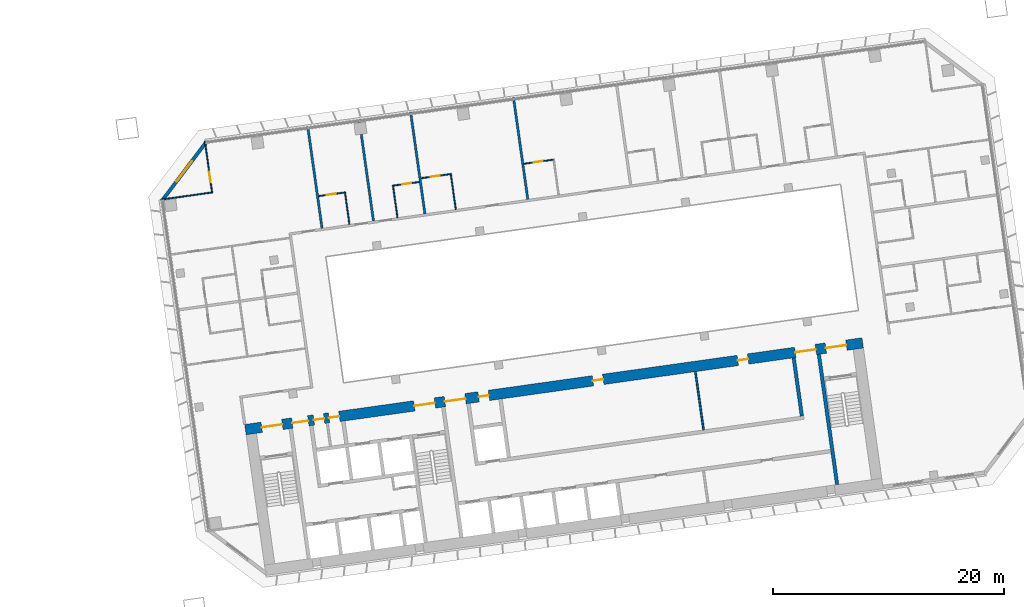
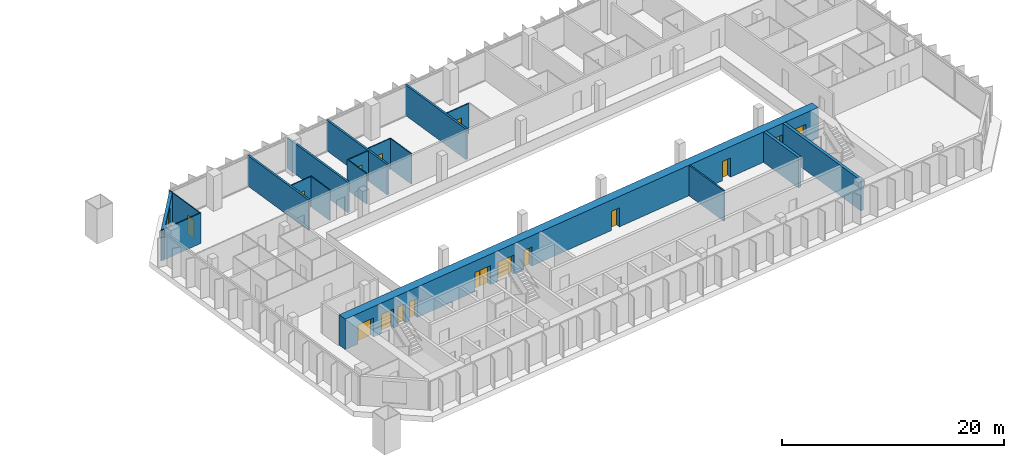
# One storey, part 20 of 25: 18 walls, 16 doors, 1 window, 17 openings.
"""IFC4 building model written with IfcOpenShell, lengths in metres."""

from ifc_helpers import new_model, si_unit, direction, frame, frame_2d, origin, place, context, subcontext, project, spatial, rectangle, extrude, material, layer, layer_set, type_object, element, fill, save


model = new_model("IFC4")

# Units and contexts
model_context = context("Model", 3, precision=1e-05, world=origin(), true_north=direction((0.0, 1.0)))
body_context = subcontext(model_context, "Body", "Model", "MODEL_VIEW")
ifc_project = project(units=[si_unit("LENGTHUNIT", "METRE"), si_unit("AREAUNIT", "SQUARE_METRE"), si_unit("VOLUMEUNIT", "CUBIC_METRE"), si_unit("PLANEANGLEUNIT", "RADIAN"), si_unit("MASSUNIT", "GRAM", prefix="KILO")], contexts=[model_context])

# Site, building, storey
site_placement = place(None, origin())
site = spatial("IfcSite", under=ifc_project, at=site_placement, CompositionType="ELEMENT")
building_placement = place(site_placement, origin())
building = spatial("IfcBuilding", under=site, at=building_placement, Name="Mirante Cascada Hotel Towers", CompositionType="ELEMENT")
storey_placement = place(building_placement, frame((0.0, 0.0, 69.9)))
storey = spatial("IfcBuildingStorey", under=building, at=storey_placement, Name="L14", CompositionType="ELEMENT", Elevation=69.9)

# Walls
ifc_material_1 = material(Name="Fire-rated plasterboard on metal studs")
ifc_layer_1 = layer(ifc_material_1, 0.2)
ifc_layer_set_1 = layer_set([ifc_layer_1], Name="Compartment wall 200 EI 120")
wall_type_1 = type_object("IfcWallType", Name="Compartment wall 200 EI 120", PredefinedType="PARTITIONING", material=ifc_layer_set_1)
for number, where, z_axis, x_axis, name in (
    (1, (41.963, 9.8805, 0.0), (0.0, 0.0, 1.0), (-0.1391794, 0.9902672, 0.0), "Wall 2-L14-35"),
    (2, (46.4192, 10.5068, 0.0), (0.0, 0.0, 1.0), (-0.1391794, 0.9902672, 0.0), "Wall 2-L14-37"),
    (3, (50.8754, 11.1331, 0.0), (0.0, 0.0, 1.0), (-0.1391794, 0.9902672, 0.0), "Wall 2-L14-39"),
):
    element("IfcWall", number, at=place(storey_placement, frame(where, z_axis=z_axis, x_axis=x_axis)), inside=storey, type_object=wall_type_1, Name=name, PredefinedType="PARTITIONING", context=body_context, shape_type="SweptSolid", body=[
        extrude(rectangle(XDim=8.9, YDim=0.2, at=frame_2d((4.45, 0.0))), origin(), (0.0, 0.0, 1.0), 3.35),
    ])
wall_1_placement = place(storey_placement, frame((59.7878, 12.3857, 0.0), z_axis=(0.0, 0.0, 1.0), x_axis=(-0.13917, 0.9902685, 0.0)))
element("IfcWall", 4, at=wall_1_placement, inside=storey, type_object=wall_type_1, Name="Wall 2-L14-41", PredefinedType="PARTITIONING", context=body_context, shape_type="SweptSolid", body=[
    extrude(rectangle(XDim=8.8999, YDim=0.2, at=frame_2d((4.45, 0.0))), origin(), (0.0, 0.0, 1.0), 3.35),
])
ifc_material_2 = material(Name="Masonry block", Category="masonry")
ifc_layer_2 = layer(ifc_material_2, 0.15)
ifc_layer_set_2 = layer_set([ifc_layer_2], Name="Core room partition 150 block EI 30")
wall_type_2 = type_object("IfcWallType", Name="Core room partition 150 block EI 30", PredefinedType="PARTITIONING", material=ifc_layer_set_2)
wall_2_placement = place(storey_placement, frame((75.016, -7.5894, 0.0), z_axis=(0.0, 0.0, 1.0), x_axis=(-0.1391755, 0.9902677, 0.0)))
element("IfcWall", 5, at=wall_2_placement, inside=storey, type_object=wall_type_2, Name="Core wall partition T2 L14 6", PredefinedType="PARTITIONING", context=body_context, shape_type="SweptSolid", body=[
    extrude(rectangle(XDim=5.1, YDim=0.15, at=frame_2d((2.55, 0.0))), origin(), (0.0, 0.0, 1.0), 3.35),
])

# Wall, opening, door
ifc_material_3 = material(Name="Plasterboard on metal studs")
ifc_layer_3 = layer(ifc_material_3, 0.1)
ifc_layer_set_3 = layer_set([ifc_layer_3], Name="Partition 100")
wall_type_3 = type_object("IfcWallType", Name="Partition 100", PredefinedType="PARTITIONING", material=ifc_layer_set_3)
wall_3_placement = place(storey_placement, frame((43.9004, 12.9804, 0.0), z_axis=(0.0, 0.0, 1.0), x_axis=(-0.9902643, -0.1391997, 0.0)))
wall_3 = element("IfcWall", 6, at=wall_3_placement, inside=storey, type_object=wall_type_3, Name="Wall 2-L14-20", PredefinedType="PARTITIONING", context=body_context, shape_type="SweptSolid", body=[
    extrude(rectangle(XDim=2.25, YDim=0.1, at=frame_2d((1.125, 0.0))), origin(), (0.0, 0.0, 1.0), 3.35),
])
opening_1_placement = place(wall_3_placement, frame((0.75, 0.0, 0.0)))
opening_1 = element("IfcOpeningElement", 7, at=opening_1_placement, cuts=wall_3, Name="Opening D2-L14-21", PredefinedType="OPENING", context=body_context, shape_type="SweptSolid", body=[
    extrude(rectangle(XDim=0.8, YDim=2.1, at=frame_2d((0.4, 1.05))), frame((0.0, 0.05, 0.0), z_axis=(0.0, -1.0, 0.0), x_axis=(1.0, 0.0, 0.0)), (0.0, 0.0, 1.0), 0.1),
])
ifc_material_4 = material(Name="Timber door leaf", Category="wood")
door_type_1 = type_object("IfcDoorType", Name="Bathroom door DG4 800x2100", OperationType="SINGLE_SWING_LEFT", PredefinedType="DOOR", material=ifc_material_4)
door_1_placement = place(opening_1_placement, frame((0.8, 0.0, 0.0), z_axis=(0.0, 0.0, 1.0), x_axis=(-1.0, 0.0, 0.0)))
door_1 = element("IfcDoor", 8, at=door_1_placement, inside=storey, type_object=door_type_1, Name="Door D2-L14-21", OperationType="SINGLE_SWING_RIGHT", OverallHeight=2.1, OverallWidth=0.8, PredefinedType="DOOR", context=body_context, shape_type="SweptSolid", body=[
    extrude(rectangle(XDim=0.8, YDim=2.1, at=frame_2d((0.4, 1.05))), frame((0.0, 0.025, 0.0), z_axis=(0.0, -1.0, 0.0), x_axis=(1.0, 0.0, 0.0)), (0.0, 0.0, 1.0), 0.05),
])
fill(opening_1, door_1)

wall_4_placement = place(storey_placement, frame((48.1586, 13.5788, 0.0), z_axis=(0.0, 0.0, 1.0), x_axis=(0.9902705, 0.1391561, 0.0)))
wall_4 = element("IfcWall", 9, at=wall_4_placement, inside=storey, type_object=wall_type_3, Name="Wall 2-L14-21", PredefinedType="PARTITIONING", context=body_context, shape_type="SweptSolid", body=[
    extrude(rectangle(XDim=2.25, YDim=0.1, at=frame_2d((1.125, 0.0))), origin(), (0.0, 0.0, 1.0), 3.35),
])
opening_2_placement = place(wall_4_placement, frame((0.75, 0.0, 0.0)))
opening_2 = element("IfcOpeningElement", 10, at=opening_2_placement, cuts=wall_4, Name="Opening D2-L14-22", PredefinedType="OPENING", context=body_context, shape_type="SweptSolid", body=[
    extrude(rectangle(XDim=0.8, YDim=2.1, at=frame_2d((0.4, 1.05))), frame((0.0, 0.05, 0.0), z_axis=(0.0, -1.0, 0.0), x_axis=(1.0, 0.0, 0.0)), (0.0, 0.0, 1.0), 0.1),
])
door_2_placement = place(opening_2_placement, origin())
door_2 = element("IfcDoor", 11, at=door_2_placement, inside=storey, type_object=door_type_1, Name="Door D2-L14-22", OperationType="SINGLE_SWING_LEFT", OverallHeight=2.1, OverallWidth=0.8, PredefinedType="DOOR", context=body_context, shape_type="SweptSolid", body=[
    extrude(rectangle(XDim=0.8, YDim=2.1, at=frame_2d((0.4, 1.05))), frame((0.0, 0.025, 0.0), z_axis=(0.0, -1.0, 0.0), x_axis=(1.0, 0.0, 0.0)), (0.0, 0.0, 1.0), 0.05),
])
fill(opening_2, door_2)

wall_5_placement = place(storey_placement, frame((50.543, 14.2169, 0.0), z_axis=(0.0, 0.0, 1.0), x_axis=(0.9902731, 0.1391371, 0.0)))
wall_5 = element("IfcWall", 12, at=wall_5_placement, inside=storey, type_object=wall_type_3, Name="Wall 2-L14-25", PredefinedType="PARTITIONING", context=body_context, shape_type="SweptSolid", body=[
    extrude(rectangle(XDim=2.55, YDim=0.1, at=frame_2d((1.275, 0.0))), origin(), (0.0, 0.0, 1.0), 3.35),
])
opening_3_placement = place(wall_5_placement, frame((0.85, 0.0, 0.0)))
opening_3 = element("IfcOpeningElement", 13, at=opening_3_placement, cuts=wall_5, Name="Opening D2-L14-27", PredefinedType="OPENING", context=body_context, shape_type="SweptSolid", body=[
    extrude(rectangle(XDim=0.8, YDim=2.1, at=frame_2d((0.4, 1.05))), frame((0.0, 0.05, 0.0), z_axis=(0.0, -1.0, 0.0), x_axis=(1.0, 0.0, 0.0)), (0.0, 0.0, 1.0), 0.1),
])
door_3_placement = place(opening_3_placement, origin())
door_3 = element("IfcDoor", 14, at=door_3_placement, inside=storey, type_object=door_type_1, Name="Door D2-L14-27", OperationType="SINGLE_SWING_LEFT", OverallHeight=2.1, OverallWidth=0.8, PredefinedType="DOOR", context=body_context, shape_type="SweptSolid", body=[
    extrude(rectangle(XDim=0.8, YDim=2.1, at=frame_2d((0.4, 1.05))), frame((0.0, 0.025, 0.0), z_axis=(0.0, -1.0, 0.0), x_axis=(1.0, 0.0, 0.0)), (0.0, 0.0, 1.0), 0.05),
])
fill(opening_3, door_3)

wall_6_placement = place(storey_placement, frame((61.9806, 15.8243, 0.0), z_axis=(0.0, 0.0, 1.0), x_axis=(-0.9902677, -0.1391755, 0.0)))
wall_6 = element("IfcWall", 15, at=wall_6_placement, inside=storey, type_object=wall_type_3, Name="Wall 2-L14-26", PredefinedType="PARTITIONING", context=body_context, shape_type="SweptSolid", body=[
    extrude(rectangle(XDim=2.55, YDim=0.1, at=frame_2d((1.275, 0.0))), origin(), (0.0, 0.0, 1.0), 3.35),
])
opening_4_placement = place(wall_6_placement, frame((0.9, 0.0, 0.0)))
opening_4 = element("IfcOpeningElement", 16, at=opening_4_placement, cuts=wall_6, Name="Opening D2-L14-28", PredefinedType="OPENING", context=body_context, shape_type="SweptSolid", body=[
    extrude(rectangle(XDim=0.8, YDim=2.1, at=frame_2d((0.4, 1.05))), frame((0.0, 0.05, 0.0), z_axis=(0.0, -1.0, 0.0), x_axis=(1.0, 0.0, 0.0)), (0.0, 0.0, 1.0), 0.1),
])
door_4_placement = place(opening_4_placement, frame((0.8, 0.0, 0.0), z_axis=(0.0, 0.0, 1.0), x_axis=(-1.0, 0.0, 0.0)))
door_4 = element("IfcDoor", 17, at=door_4_placement, inside=storey, type_object=door_type_1, Name="Door D2-L14-28", OperationType="SINGLE_SWING_RIGHT", OverallHeight=2.1, OverallWidth=0.8, PredefinedType="DOOR", context=body_context, shape_type="SweptSolid", body=[
    extrude(rectangle(XDim=0.8, YDim=2.1, at=frame_2d((0.4, 1.05))), frame((0.0, 0.025, 0.0), z_axis=(0.0, -1.0, 0.0), x_axis=(1.0, 0.0, 0.0)), (0.0, 0.0, 1.0), 0.05),
])
fill(opening_4, door_4)

# Wall
wall_7_placement = place(storey_placement, frame((27.982, 12.3589, 0.0), z_axis=(0.0, 0.0, 1.0), x_axis=(0.9902691, 0.1391656, 0.0)))
element("IfcWall", 18, at=wall_7_placement, inside=storey, type_object=wall_type_3, Name="Wall 2-L14-27", PredefinedType="PARTITIONING", context=body_context, shape_type="SweptSolid", body=[
    extrude(rectangle(XDim=4.55, YDim=0.1, at=frame_2d((2.275, 0.0))), origin(), (0.0, 0.0, 1.0), 3.35),
])

# Wall, opening, door
wall_8_placement = place(storey_placement, frame((32.4312, 13.0347, 0.0), z_axis=(0.0, 0.0, 1.0), x_axis=(-0.1391684, 0.9902687, 0.0)))
wall_8 = element("IfcWall", 19, at=wall_8_placement, inside=storey, type_object=wall_type_3, Name="Wall 2-L14-31", PredefinedType="PARTITIONING", context=body_context, shape_type="SweptSolid", body=[
    extrude(rectangle(XDim=4.45, YDim=0.1, at=frame_2d((2.225, 0.0))), origin(), (0.0, 0.0, 1.0), 3.35),
])
opening_5_placement = place(wall_8_placement, frame((0.8583, 0.0, 0.0)))
opening_5 = element("IfcOpeningElement", 20, at=opening_5_placement, cuts=wall_8, Name="Opening D2-L14-31", PredefinedType="OPENING", context=body_context, shape_type="SweptSolid", body=[
    extrude(rectangle(XDim=0.9, YDim=2.1, at=frame_2d((0.45, 1.05))), frame((0.0, 0.05, 0.0), z_axis=(0.0, -1.0, 0.0), x_axis=(1.0, 0.0, 0.0)), (0.0, 0.0, 1.0), 0.1),
])
ifc_material_5 = material(Name="Timber door leaf", Category="wood")
door_type_2 = type_object("IfcDoorType", Name="Room door DG3 900x2100", OperationType="SINGLE_SWING_LEFT", PredefinedType="DOOR", material=ifc_material_5)
door_5_placement = place(opening_5_placement, frame((0.9, 0.0, 0.0), z_axis=(0.0, 0.0, 1.0), x_axis=(-1.0, 0.0, 0.0)))
door_5 = element("IfcDoor", 21, at=door_5_placement, inside=storey, type_object=door_type_2, Name="Door D2-L14-31", OperationType="SINGLE_SWING_RIGHT", OverallHeight=2.1, OverallWidth=0.9, PredefinedType="DOOR", context=body_context, shape_type="SweptSolid", body=[
    extrude(rectangle(XDim=0.9, YDim=2.1, at=frame_2d((0.45, 1.05))), frame((0.0, 0.025, 0.0), z_axis=(0.0, -1.0, 0.0), x_axis=(1.0, 0.0, 0.0)), (0.0, 0.0, 1.0), 0.05),
])
fill(opening_5, door_5)

# Walls
wall_9_placement = place(storey_placement, frame((43.943, 13.0368, 0.0), z_axis=(0.0, 0.0, 1.0), x_axis=(0.1391613, -0.9902697, 0.0)))
element("IfcWall", 22, at=wall_9_placement, inside=storey, type_object=wall_type_3, Name="Wall 2-L14-36", PredefinedType="PARTITIONING", context=body_context, shape_type="SweptSolid", body=[
    extrude(rectangle(XDim=2.8499, YDim=0.1, at=frame_2d((1.425, 0.0))), origin(), (0.0, 0.0, 1.0), 3.35),
])
wall_10_placement = place(storey_placement, frame((48.1021, 13.6214, 0.0), z_axis=(0.0, 0.0, 1.0), x_axis=(0.1391564, -0.9902704, 0.0)))
element("IfcWall", 23, at=wall_10_placement, inside=storey, type_object=wall_type_3, Name="Wall 2-L14-38", PredefinedType="PARTITIONING", context=body_context, shape_type="SweptSolid", body=[
    extrude(rectangle(XDim=2.85, YDim=0.1, at=frame_2d((1.425, 0.0))), origin(), (0.0, 0.0, 1.0), 3.35),
])
wall_11_placement = place(storey_placement, frame((53.1107, 14.6282, 0.0), z_axis=(0.0, 0.0, 1.0), x_axis=(0.1391765, -0.9902676, 0.0)))
element("IfcWall", 24, at=wall_11_placement, inside=storey, type_object=wall_type_3, Name="Wall 2-L14-40", PredefinedType="PARTITIONING", context=body_context, shape_type="SweptSolid", body=[
    extrude(rectangle(XDim=3.15, YDim=0.1, at=frame_2d((1.575, 0.0))), origin(), (0.0, 0.0, 1.0), 3.35),
])

# Wall, opening, window
ifc_material_6 = material(Name="Precast concrete C40/50", Category="concrete")
ifc_layer_4 = layer(ifc_material_6, 0.3)
ifc_layer_set_4 = layer_set([ifc_layer_4], Name="Precast concrete C40/50 cladding wall 300")
wall_type_4 = type_object("IfcWallType", Name="Precast concrete C40/50 cladding wall 300", PredefinedType="STANDARD", material=ifc_layer_set_4)
wall_12_placement = place(storey_placement, frame((31.857, 17.252, 0.0), z_axis=(0.0, 0.0, 1.0), x_axis=(-0.6018141, -0.7986362, 0.0)))
wall_12 = element("IfcWall", 25, at=wall_12_placement, inside=storey, type_object=wall_type_4, Name="Corner cladding wall T2 L14 front inner", PredefinedType="STANDARD", context=body_context, shape_type="SweptSolid", body=[
    extrude(rectangle(XDim=6.1157, YDim=0.3, at=frame_2d((3.0578, 0.0))), origin(), (0.0, 0.0, 1.0), 3.35),
])
opening_6_placement = place(wall_12_placement, frame((1.9578, 0.0, 0.6)))
opening_6 = element("IfcOpeningElement", 26, at=opening_6_placement, cuts=wall_12, Name="Opening W2-14-04", PredefinedType="OPENING", context=body_context, shape_type="SweptSolid", body=[
    extrude(rectangle(XDim=2.2, YDim=2.4, at=frame_2d((1.1, 1.2))), frame((0.0, 0.15, 0.0), z_axis=(0.0, -1.0, 0.0), x_axis=(1.0, 0.0, 0.0)), (0.0, 0.0, 1.0), 0.3),
])
ifc_material_7 = material(Name="Aluminium frame with clear double glazing", Category="aluminium")
window_type = type_object("IfcWindowType", Name="Corner suite window 2200x2400", PartitioningType="DOUBLE_PANEL_VERTICAL", PredefinedType="WINDOW", material=ifc_material_7)
window_placement = place(opening_6_placement, origin())
window = element("IfcWindow", 27, at=window_placement, inside=storey, type_object=window_type, Name="Window W2-14-04", OverallHeight=2.4, OverallWidth=2.2, PartitioningType="SINGLE_PANEL", PredefinedType="WINDOW", context=body_context, shape_type="SweptSolid", body=[
    extrude(rectangle(XDim=2.2, YDim=2.4, at=frame_2d((1.1, 1.2))), frame((0.0, 0.03, 0.0), z_axis=(0.0, -1.0, 0.0), x_axis=(1.0, 0.0, 0.0)), (0.0, 0.0, 1.0), 0.06),
])
fill(opening_6, window)

# Walls
ifc_material_8 = material(Name="Concrete C50/60", Category="concrete")
ifc_layer_5 = layer(ifc_material_8, 0.3)
ifc_layer_set_5 = layer_set([ifc_layer_5], Name="RC core wall 300 C50/60")
wall_type_5 = type_object("IfcWallType", Name="RC core wall 300 C50/60", PredefinedType="SHEAR", material=ifc_layer_set_5)
wall_13_placement = place(storey_placement, frame((86.5877, -12.325, 0.0), z_axis=(0.0, 0.0, 1.0), x_axis=(-0.1391749, 0.9902678, 0.0)))
element("IfcWall", 28, at=wall_13_placement, inside=storey, type_object=wall_type_5, Name="Core wall T2:L14:8", PredefinedType="SHEAR", context=body_context, shape_type="SweptSolid", body=[
    extrude(rectangle(XDim=11.4, YDim=0.3, at=frame_2d((5.7, 0.0))), origin(), (0.0, 0.0, 1.0), 3.35),
])
wall_14_placement = place(storey_placement, frame((83.5323, -6.3925, 0.0), z_axis=(0.0, 0.0, 1.0), x_axis=(-0.1391755, 0.9902677, 0.0)))
element("IfcWall", 29, at=wall_14_placement, inside=storey, type_object=wall_type_5, Name="Core wall T2:L14:34", PredefinedType="SHEAR", context=body_context, shape_type="SweptSolid", body=[
    extrude(rectangle(XDim=5.1, YDim=0.3, at=frame_2d((2.55, 0.0))), origin(), (0.0, 0.0, 1.0), 3.35),
])

# Wall, openings, doors
ifc_material_9 = material(Name="Concrete C50/60", Category="concrete")
ifc_layer_6 = layer(ifc_material_9, 0.9)
ifc_layer_set_6 = layer_set([ifc_layer_6], Name="RC core wall 900 C50/60")
wall_type_6 = type_object("IfcWallType", Name="RC core wall 900 C50/60", PredefinedType="SHEAR", material=ifc_layer_set_6)
wall_15_placement = place(storey_placement, frame((35.326, -7.5629, 0.0), z_axis=(0.0, 0.0, 1.0), x_axis=(0.9902679, 0.139174, 0.0)))
wall_15 = element("IfcWall", 30, at=wall_15_placement, inside=storey, type_object=wall_type_6, Name="Core wall T2:L14:2", PredefinedType="SHEAR", context=body_context, shape_type="SweptSolid", body=[
    extrude(rectangle(XDim=54.0, YDim=0.9, at=frame_2d((27.0, 0.0))), origin(), (0.0, 0.0, 1.0), 3.35),
])
opening_7_placement = place(wall_15_placement, frame((1.425, 0.0, 0.0)))
opening_7 = element("IfcOpeningElement", 31, at=opening_7_placement, cuts=wall_15, Name="Opening D2-14-C14", PredefinedType="OPENING", context=body_context, shape_type="SweptSolid", body=[
    extrude(rectangle(XDim=1.8, YDim=2.1, at=frame_2d((0.9, 1.05))), frame((0.0, 0.45, 0.0), z_axis=(0.0, -1.0, 0.0), x_axis=(1.0, 0.0, 0.0)), (0.0, 0.0, 1.0), 0.9),
])
opening_8_placement = place(wall_15_placement, frame((14.775, 0.0, 0.0)))
opening_8 = element("IfcOpeningElement", 32, at=opening_8_placement, cuts=wall_15, Name="Opening D2-14-C16", PredefinedType="OPENING", context=body_context, shape_type="SweptSolid", body=[
    extrude(rectangle(XDim=1.8, YDim=2.1, at=frame_2d((0.9, 1.05))), frame((0.0, 0.45, 0.0), z_axis=(0.0, -1.0, 0.0), x_axis=(1.0, 0.0, 0.0)), (0.0, 0.0, 1.0), 0.9),
])
opening_9_placement = place(wall_15_placement, frame((50.775, 0.0, 0.0)))
opening_9 = element("IfcOpeningElement", 33, at=opening_9_placement, cuts=wall_15, Name="Opening D2-14-C18", PredefinedType="OPENING", context=body_context, shape_type="SweptSolid", body=[
    extrude(rectangle(XDim=1.8, YDim=2.1, at=frame_2d((0.9, 1.05))), frame((0.0, 0.45, 0.0), z_axis=(0.0, -1.0, 0.0), x_axis=(1.0, 0.0, 0.0)), (0.0, 0.0, 1.0), 0.9),
])
opening_10_placement = place(wall_15_placement, frame((4.1, 0.0, 0.0)))
opening_10 = element("IfcOpeningElement", 34, at=opening_10_placement, cuts=wall_15, Name="Opening D2-14-C19", PredefinedType="OPENING", context=body_context, shape_type="SweptSolid", body=[
    extrude(rectangle(XDim=1.4, YDim=2.1, at=frame_2d((0.7, 1.05))), frame((0.0, 0.45, 0.0), z_axis=(0.0, -1.0, 0.0), x_axis=(1.0, 0.0, 0.0)), (0.0, 0.0, 1.0), 0.9),
])
opening_11_placement = place(wall_15_placement, frame((17.45, 0.0, 0.0)))
opening_11 = element("IfcOpeningElement", 35, at=opening_11_placement, cuts=wall_15, Name="Opening D2-14-C20", PredefinedType="OPENING", context=body_context, shape_type="SweptSolid", body=[
    extrude(rectangle(XDim=1.8, YDim=2.1, at=frame_2d((0.9, 1.05))), frame((0.0, 0.45, 0.0), z_axis=(0.0, -1.0, 0.0), x_axis=(1.0, 0.0, 0.0)), (0.0, 0.0, 1.0), 0.9),
])
opening_12_placement = place(wall_15_placement, frame((48.1, 0.0, 0.0)))
opening_12 = element("IfcOpeningElement", 36, at=opening_12_placement, cuts=wall_15, Name="Opening D2-14-C21", PredefinedType="OPENING", context=body_context, shape_type="SweptSolid", body=[
    extrude(rectangle(XDim=1.8, YDim=2.1, at=frame_2d((0.9, 1.05))), frame((0.0, 0.45, 0.0), z_axis=(0.0, -1.0, 0.0), x_axis=(1.0, 0.0, 0.0)), (0.0, 0.0, 1.0), 0.9),
])
opening_13_placement = place(wall_15_placement, frame((5.9875, 0.0, 0.0)))
opening_13 = element("IfcOpeningElement", 37, at=opening_13_placement, cuts=wall_15, Name="Opening D2-14-C24", PredefinedType="OPENING", context=body_context, shape_type="SweptSolid", body=[
    extrude(rectangle(XDim=0.9, YDim=2.1, at=frame_2d((0.45, 1.05))), frame((0.0, 0.45, 0.0), z_axis=(0.0, -1.0, 0.0), x_axis=(1.0, 0.0, 0.0)), (0.0, 0.0, 1.0), 0.9),
])
opening_14_placement = place(wall_15_placement, frame((7.3125, 0.0, 0.0)))
opening_14 = element("IfcOpeningElement", 38, at=opening_14_placement, cuts=wall_15, Name="Opening D2-14-C25", PredefinedType="OPENING", context=body_context, shape_type="SweptSolid", body=[
    extrude(rectangle(XDim=0.9, YDim=2.1, at=frame_2d((0.45, 1.05))), frame((0.0, 0.45, 0.0), z_axis=(0.0, -1.0, 0.0), x_axis=(1.0, 0.0, 0.0)), (0.0, 0.0, 1.0), 0.9),
])
opening_15_placement = place(wall_15_placement, frame((20.4, 0.0, 0.0)))
opening_15 = element("IfcOpeningElement", 39, at=opening_15_placement, cuts=wall_15, Name="Opening D2-14-C28", PredefinedType="OPENING", context=body_context, shape_type="SweptSolid", body=[
    extrude(rectangle(XDim=0.9, YDim=2.1, at=frame_2d((0.45, 1.05))), frame((0.0, 0.45, 0.0), z_axis=(0.0, -1.0, 0.0), x_axis=(1.0, 0.0, 0.0)), (0.0, 0.0, 1.0), 0.9),
])
opening_16_placement = place(wall_15_placement, frame((30.4, 0.0, 0.0)))
opening_16 = element("IfcOpeningElement", 40, at=opening_16_placement, cuts=wall_15, Name="Opening D2-14-C29", PredefinedType="OPENING", context=body_context, shape_type="SweptSolid", body=[
    extrude(rectangle(XDim=0.9, YDim=2.1, at=frame_2d((0.45, 1.05))), frame((0.0, 0.45, 0.0), z_axis=(0.0, -1.0, 0.0), x_axis=(1.0, 0.0, 0.0)), (0.0, 0.0, 1.0), 0.9),
])
opening_17_placement = place(wall_15_placement, frame((43.075, 0.0, 0.0)))
opening_17 = element("IfcOpeningElement", 41, at=opening_17_placement, cuts=wall_15, Name="Opening D2-14-C30", PredefinedType="OPENING", context=body_context, shape_type="SweptSolid", body=[
    extrude(rectangle(XDim=0.9, YDim=2.1, at=frame_2d((0.45, 1.05))), frame((0.0, 0.45, 0.0), z_axis=(0.0, -1.0, 0.0), x_axis=(1.0, 0.0, 0.0)), (0.0, 0.0, 1.0), 0.9),
])
ifc_material_10 = material(Name="Hollow metal fire door leaf")
door_type_3 = type_object("IfcDoorType", Name="Double fire door 1400x2100 FD60", OperationType="DOUBLE_DOOR_SINGLE_SWING", PredefinedType="DOOR", material=ifc_material_10)
door_6_placement = place(opening_10_placement, origin())
door_6 = element("IfcDoor", 42, at=door_6_placement, inside=storey, type_object=door_type_3, Name="Exit door to gallery T2 L14 19", OperationType="DOUBLE_DOOR_SINGLE_SWING", OverallHeight=2.1, OverallWidth=1.4, PredefinedType="DOOR", context=body_context, shape_type="SweptSolid", body=[
    extrude(rectangle(XDim=0.695, YDim=2.1, at=frame_2d((0.3475, 1.05))), frame((0.0, 0.025, 0.0), z_axis=(0.0, -1.0, 0.0), x_axis=(1.0, 0.0, 0.0)), (0.0, 0.0, 1.0), 0.05),
    extrude(rectangle(XDim=0.695, YDim=2.1, at=frame_2d((1.0525, 1.05))), frame((0.0, 0.025, 0.0), z_axis=(0.0, -1.0, 0.0), x_axis=(1.0, 0.0, 0.0)), (0.0, 0.0, 1.0), 0.05),
])
fill(opening_10, door_6)
ifc_material_11 = material(Name="Hollow metal fire door leaf")
door_type_4 = type_object("IfcDoorType", Name="Double fire door 1800x2100 FD60", OperationType="DOUBLE_DOOR_SINGLE_SWING", PredefinedType="DOOR", material=ifc_material_11)
door_7_placement = place(opening_7_placement, frame((1.8, 0.0, 0.0), z_axis=(0.0, 0.0, 1.0), x_axis=(-1.0, 0.0, 0.0)))
door_7 = element("IfcDoor", 43, at=door_7_placement, inside=storey, type_object=door_type_4, Name="Exit door to gallery T2 L14 14", OperationType="DOUBLE_DOOR_SINGLE_SWING", OverallHeight=2.1, OverallWidth=1.8, PredefinedType="DOOR", context=body_context, shape_type="SweptSolid", body=[
    extrude(rectangle(XDim=0.895, YDim=2.1, at=frame_2d((0.4475, 1.05))), frame((0.0, 0.025, 0.0), z_axis=(0.0, -1.0, 0.0), x_axis=(1.0, 0.0, 0.0)), (0.0, 0.0, 1.0), 0.05),
    extrude(rectangle(XDim=0.895, YDim=2.1, at=frame_2d((1.3525, 1.05))), frame((0.0, 0.025, 0.0), z_axis=(0.0, -1.0, 0.0), x_axis=(1.0, 0.0, 0.0)), (0.0, 0.0, 1.0), 0.05),
])
fill(opening_7, door_7)
door_8_placement = place(opening_8_placement, frame((1.8, 0.0, 0.0), z_axis=(0.0, 0.0, 1.0), x_axis=(-1.0, 0.0, 0.0)))
door_8 = element("IfcDoor", 44, at=door_8_placement, inside=storey, type_object=door_type_4, Name="Exit door to gallery T2 L14 16", OperationType="DOUBLE_DOOR_SINGLE_SWING", OverallHeight=2.1, OverallWidth=1.8, PredefinedType="DOOR", context=body_context, shape_type="SweptSolid", body=[
    extrude(rectangle(XDim=0.895, YDim=2.1, at=frame_2d((0.4475, 1.05))), frame((0.0, 0.025, 0.0), z_axis=(0.0, -1.0, 0.0), x_axis=(1.0, 0.0, 0.0)), (0.0, 0.0, 1.0), 0.05),
    extrude(rectangle(XDim=0.895, YDim=2.1, at=frame_2d((1.3525, 1.05))), frame((0.0, 0.025, 0.0), z_axis=(0.0, -1.0, 0.0), x_axis=(1.0, 0.0, 0.0)), (0.0, 0.0, 1.0), 0.05),
])
fill(opening_8, door_8)
door_9_placement = place(opening_9_placement, frame((1.8, 0.0, 0.0), z_axis=(0.0, 0.0, 1.0), x_axis=(-1.0, 0.0, 0.0)))
door_9 = element("IfcDoor", 45, at=door_9_placement, inside=storey, type_object=door_type_4, Name="Exit door to gallery T2 L14 18", OperationType="DOUBLE_DOOR_SINGLE_SWING", OverallHeight=2.1, OverallWidth=1.8, PredefinedType="DOOR", context=body_context, shape_type="SweptSolid", body=[
    extrude(rectangle(XDim=0.895, YDim=2.1, at=frame_2d((0.4475, 1.05))), frame((0.0, 0.025, 0.0), z_axis=(0.0, -1.0, 0.0), x_axis=(1.0, 0.0, 0.0)), (0.0, 0.0, 1.0), 0.05),
    extrude(rectangle(XDim=0.895, YDim=2.1, at=frame_2d((1.3525, 1.05))), frame((0.0, 0.025, 0.0), z_axis=(0.0, -1.0, 0.0), x_axis=(1.0, 0.0, 0.0)), (0.0, 0.0, 1.0), 0.05),
])
fill(opening_9, door_9)
door_10_placement = place(opening_11_placement, origin())
door_10 = element("IfcDoor", 46, at=door_10_placement, inside=storey, type_object=door_type_4, Name="Exit door to gallery T2 L14 20", OperationType="DOUBLE_DOOR_SINGLE_SWING", OverallHeight=2.1, OverallWidth=1.8, PredefinedType="DOOR", context=body_context, shape_type="SweptSolid", body=[
    extrude(rectangle(XDim=0.895, YDim=2.1, at=frame_2d((0.4475, 1.05))), frame((0.0, 0.025, 0.0), z_axis=(0.0, -1.0, 0.0), x_axis=(1.0, 0.0, 0.0)), (0.0, 0.0, 1.0), 0.05),
    extrude(rectangle(XDim=0.895, YDim=2.1, at=frame_2d((1.3525, 1.05))), frame((0.0, 0.025, 0.0), z_axis=(0.0, -1.0, 0.0), x_axis=(1.0, 0.0, 0.0)), (0.0, 0.0, 1.0), 0.05),
])
fill(opening_11, door_10)
door_11_placement = place(opening_12_placement, origin())
door_11 = element("IfcDoor", 47, at=door_11_placement, inside=storey, type_object=door_type_4, Name="Exit door to gallery T2 L14 21", OperationType="DOUBLE_DOOR_SINGLE_SWING", OverallHeight=2.1, OverallWidth=1.8, PredefinedType="DOOR", context=body_context, shape_type="SweptSolid", body=[
    extrude(rectangle(XDim=0.895, YDim=2.1, at=frame_2d((0.4475, 1.05))), frame((0.0, 0.025, 0.0), z_axis=(0.0, -1.0, 0.0), x_axis=(1.0, 0.0, 0.0)), (0.0, 0.0, 1.0), 0.05),
    extrude(rectangle(XDim=0.895, YDim=2.1, at=frame_2d((1.3525, 1.05))), frame((0.0, 0.025, 0.0), z_axis=(0.0, -1.0, 0.0), x_axis=(1.0, 0.0, 0.0)), (0.0, 0.0, 1.0), 0.05),
])
fill(opening_12, door_11)
ifc_material_12 = material(Name="Hollow metal fire door leaf")
door_type_5 = type_object("IfcDoorType", Name="Fire door 900x2100 FD60", OperationType="NOTDEFINED", PredefinedType="DOOR", material=ifc_material_12)
door_12_placement = place(opening_13_placement, frame((0.9, 0.0, 0.0), z_axis=(0.0, 0.0, 1.0), x_axis=(-1.0, 0.0, 0.0)))
door_12 = element("IfcDoor", 48, at=door_12_placement, inside=storey, type_object=door_type_5, Name="Room door T2 L14 24", OperationType="SINGLE_SWING_LEFT", OverallHeight=2.1, OverallWidth=0.9, PredefinedType="DOOR", context=body_context, shape_type="SweptSolid", body=[
    extrude(rectangle(XDim=0.9, YDim=2.1, at=frame_2d((0.45, 1.05))), frame((0.0, 0.025, 0.0), z_axis=(0.0, -1.0, 0.0), x_axis=(1.0, 0.0, 0.0)), (0.0, 0.0, 1.0), 0.05),
])
fill(opening_13, door_12)
door_13_placement = place(opening_14_placement, frame((0.9, 0.0, 0.0), z_axis=(0.0, 0.0, 1.0), x_axis=(-1.0, 0.0, 0.0)))
door_13 = element("IfcDoor", 49, at=door_13_placement, inside=storey, type_object=door_type_5, Name="Room door T2 L14 25", OperationType="SINGLE_SWING_LEFT", OverallHeight=2.1, OverallWidth=0.9, PredefinedType="DOOR", context=body_context, shape_type="SweptSolid", body=[
    extrude(rectangle(XDim=0.9, YDim=2.1, at=frame_2d((0.45, 1.05))), frame((0.0, 0.025, 0.0), z_axis=(0.0, -1.0, 0.0), x_axis=(1.0, 0.0, 0.0)), (0.0, 0.0, 1.0), 0.05),
])
fill(opening_14, door_13)
door_14_placement = place(opening_15_placement, frame((0.9, 0.0, 0.0), z_axis=(0.0, 0.0, 1.0), x_axis=(-1.0, 0.0, 0.0)))
door_14 = element("IfcDoor", 50, at=door_14_placement, inside=storey, type_object=door_type_5, Name="Room door T2 L14 28", OperationType="SINGLE_SWING_LEFT", OverallHeight=2.1, OverallWidth=0.9, PredefinedType="DOOR", context=body_context, shape_type="SweptSolid", body=[
    extrude(rectangle(XDim=0.9, YDim=2.1, at=frame_2d((0.45, 1.05))), frame((0.0, 0.025, 0.0), z_axis=(0.0, -1.0, 0.0), x_axis=(1.0, 0.0, 0.0)), (0.0, 0.0, 1.0), 0.05),
])
fill(opening_15, door_14)
door_15_placement = place(opening_16_placement, frame((0.9, 0.0, 0.0), z_axis=(0.0, 0.0, 1.0), x_axis=(-1.0, 0.0, 0.0)))
door_15 = element("IfcDoor", 51, at=door_15_placement, inside=storey, type_object=door_type_5, Name="Room door T2 L14 29", OperationType="SINGLE_SWING_RIGHT", OverallHeight=2.1, OverallWidth=0.9, PredefinedType="DOOR", context=body_context, shape_type="SweptSolid", body=[
    extrude(rectangle(XDim=0.9, YDim=2.1, at=frame_2d((0.45, 1.05))), frame((0.0, 0.025, 0.0), z_axis=(0.0, -1.0, 0.0), x_axis=(1.0, 0.0, 0.0)), (0.0, 0.0, 1.0), 0.05),
])
fill(opening_16, door_15)
door_16_placement = place(opening_17_placement, frame((0.9, 0.0, 0.0), z_axis=(0.0, 0.0, 1.0), x_axis=(-1.0, 0.0, 0.0)))
door_16 = element("IfcDoor", 52, at=door_16_placement, inside=storey, type_object=door_type_5, Name="Room door T2 L14 30", OperationType="SINGLE_SWING_RIGHT", OverallHeight=2.1, OverallWidth=0.9, PredefinedType="DOOR", context=body_context, shape_type="SweptSolid", body=[
    extrude(rectangle(XDim=0.9, YDim=2.1, at=frame_2d((0.45, 1.05))), frame((0.0, 0.025, 0.0), z_axis=(0.0, -1.0, 0.0), x_axis=(1.0, 0.0, 0.0)), (0.0, 0.0, 1.0), 0.05),
])
fill(opening_17, door_16)

save(model, "model.ifc")
